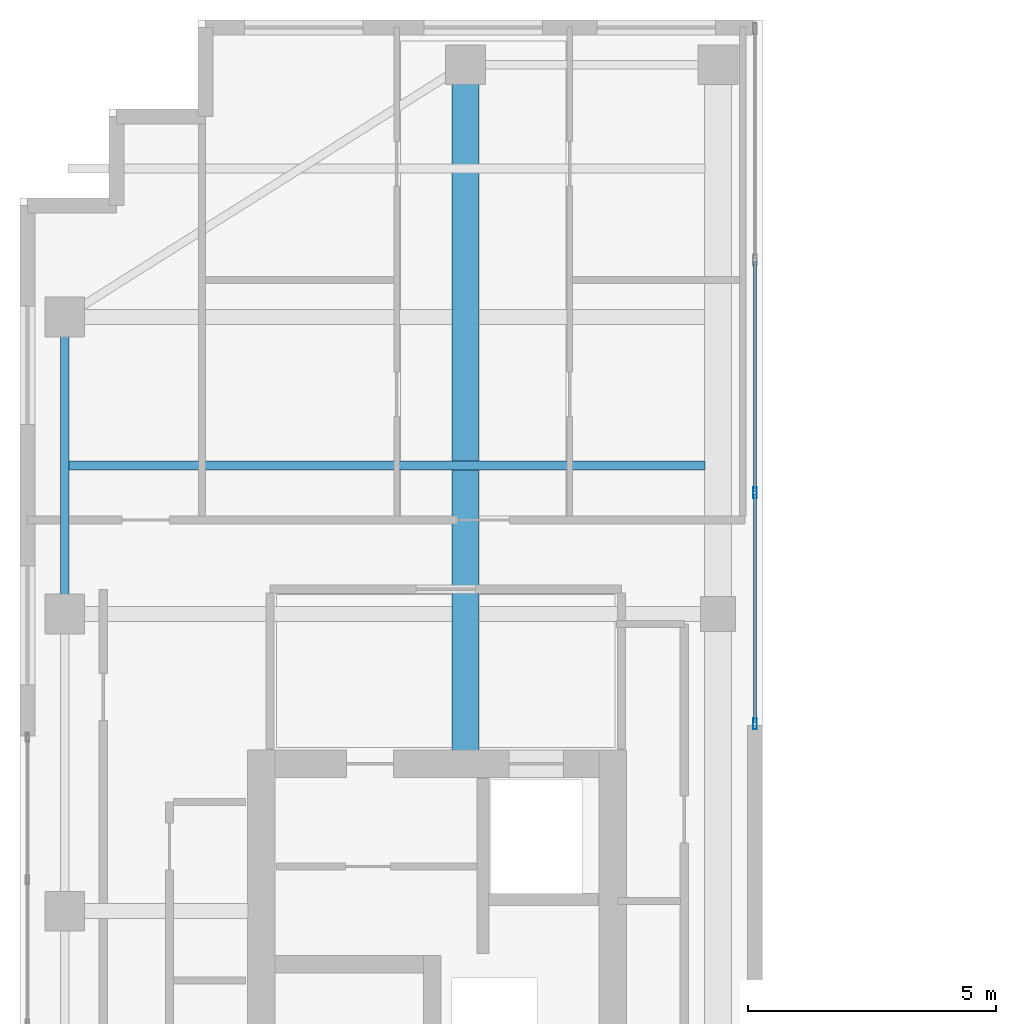
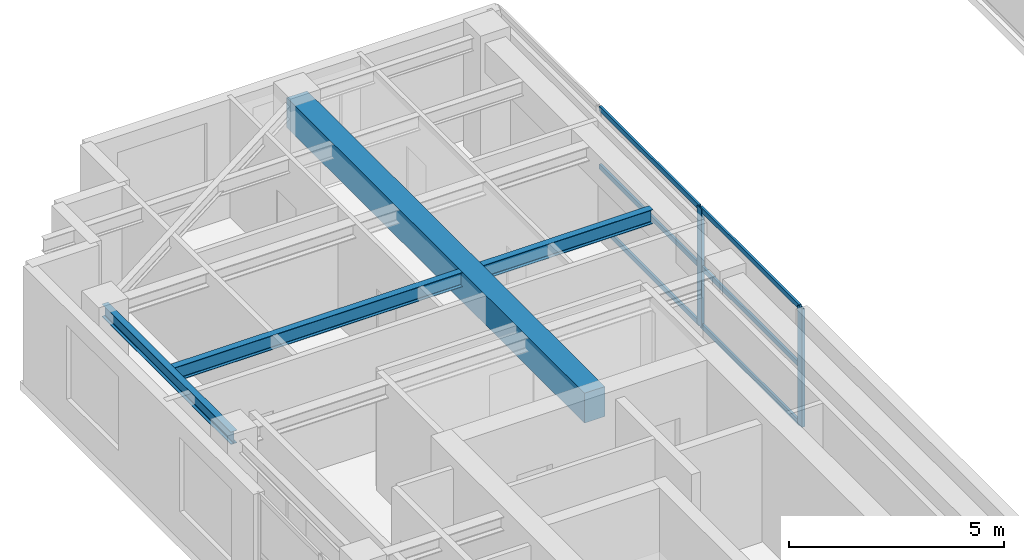
# One storey, part 9 of 23: 8 members, 3 beams, 1 element without a shape of its own.
"""IFC4 building model written with IfcOpenShell, lengths in metres."""

from ifc_helpers import new_model, si_unit, direction, frame, origin, origin_2d, place, context, subcontext, project, spatial, rectangle, hollow_rectangle, i_section, extrude, source, transform, mapped, material, layer, layer_set, material_profile, profile_set, type_object, element, aggregate, save


model = new_model("IFC4")

# Units and contexts
model_context = context("Model", 3, precision=1e-05, world=origin(), true_north=direction((0.0, 1.0)))
body_context = subcontext(model_context, "Body", "Model", "MODEL_VIEW")
ifc_project = project(units=[si_unit("LENGTHUNIT", "METRE"), si_unit("AREAUNIT", "SQUARE_METRE"), si_unit("VOLUMEUNIT", "CUBIC_METRE"), si_unit("PLANEANGLEUNIT", "RADIAN"), si_unit("MASSUNIT", "GRAM", prefix="KILO")], contexts=[model_context])

# Site, building, storey
site_placement = place(None, origin())
site = spatial("IfcSite", under=ifc_project, at=site_placement, CompositionType="ELEMENT")
building_placement = place(site_placement, origin())
building = spatial("IfcBuilding", under=site, at=building_placement, Name="Khoralis Quay Care Tower", CompositionType="ELEMENT")
storey_placement = place(building_placement, frame((0.0, 0.0, 252.89990234375)))
storey = spatial("IfcBuildingStorey", under=building, at=storey_placement, Name="L66", CompositionType="ELEMENT", Elevation=252.89990234375)

# Beams
ifc_material_1 = material(Name="Steel S355", Category="steel")
ifc_material_profile_1 = material_profile(ifc_material_1, i_section(OverallWidth=0.169921875, OverallDepth=0.360107421875, WebThickness=0.008056640625, FlangeThickness=0.0126953125, FilletRadius=0.01806640625, at=origin_2d()), Name="Steel S355")
ifc_profile_set_1 = profile_set([ifc_material_profile_1], Name="Steel S355")
beam_type_1 = type_object("IfcBeamType", Name="BM-IPE360", PredefinedType="SPANDREL", material=ifc_profile_set_1)
shared_shape_1 = source(origin(), body_context, "Body", "SweptSolid", [
    extrude(i_section(OverallWidth=0.169921875, OverallDepth=0.360107421875, WebThickness=0.008056640625, FlangeThickness=0.0126953125, FilletRadius=0.01806640625, at=origin_2d()), origin(), (0.0, 0.0, 1.0), 6.0),
])
beam_1_placement = place(storey_placement, frame((3.89990234375, 30.0, 3.18017578125), z_axis=(0.0, 1.0, 0.0), x_axis=(-1.0, 0.0, 0.0)))
element("IfcBeam", 1, at=beam_1_placement, inside=storey, type_object=beam_type_1, Name="BM-TSP-L66-08", PredefinedType="SPANDREL", context=body_context, shape_type="MappedRepresentation", body=[
    mapped(shared_shape_1, transform((0.0, 0.0, 0.0), scale=1.0)),
])
ifc_material_2 = material(Name="Concrete C50/60", Category="concrete")
ifc_material_profile_2 = material_profile(ifc_material_2, rectangle(XDim=0.550048828125, YDim=0.85009765625, at=origin_2d()), Name="Concrete C50/60")
ifc_profile_set_2 = profile_set([ifc_material_profile_2], Name="Concrete C50/60")
beam_type_2 = type_object("IfcBeamType", Name="BM-RC550X850", PredefinedType="BEAM", material=ifc_profile_set_2)
shared_shape_2 = source(origin(), body_context, "Body", "SweptSolid", [
    extrude(rectangle(XDim=0.550048828125, YDim=0.85009765625, at=origin_2d()), origin(), (0.0, 0.0, 1.0), 13.85205078125),
])
beam_2_placement = place(storey_placement, frame((12.0, 27.248046875, 2.93505859375), z_axis=(0.0, 1.0, 0.0), x_axis=(-1.0, 0.0, 0.0)))
element("IfcBeam", 2, at=beam_2_placement, inside=storey, type_object=beam_type_2, Name="BM-TGYN-L66-120", PredefinedType="BEAM", context=body_context, shape_type="MappedRepresentation", body=[
    mapped(shared_shape_2, transform((0.0, 0.0, 0.0), scale=1.0)),
])
ifc_material_profile_3 = material_profile(ifc_material_1, i_section(OverallWidth=0.177978515625, OverallDepth=0.406982421875, WebThickness=0.0078125, FlangeThickness=0.0126953125, FilletRadius=0.012939453125, at=origin_2d()), Name="Steel S355")
ifc_profile_set_3 = profile_set([ifc_material_profile_3], Name="Steel S355")
beam_type_3 = type_object("IfcBeamType", Name="BM-W410X60", PredefinedType="JOIST", material=ifc_profile_set_3)
shared_shape_3 = source(origin(), body_context, "Body", "SweptSolid", [
    extrude(i_section(OverallWidth=0.177978515625, OverallDepth=0.406982421875, WebThickness=0.0078125, FlangeThickness=0.0126953125, FilletRadius=0.012939453125, at=origin_2d()), origin(), (0.0, 0.0, 1.0), 12.865966796875),
])
beam_3_placement = place(storey_placement, frame((3.970947265625, 33.0, 3.156494140625), z_axis=(1.0, 0.0, 0.0), x_axis=(0.0, 1.0, 0.0)))
element("IfcBeam", 3, at=beam_3_placement, inside=storey, type_object=beam_type_3, Name="BM-TJS-L66-19", PredefinedType="JOIST", context=body_context, shape_type="MappedRepresentation", body=[
    mapped(shared_shape_3, transform((0.0, 0.0, 0.0), scale=1.0)),
])

# Curtain wall, members
ifc_material_3 = material(Name="Pale anodised aluminium", Category="aluminium")
ifc_layer = layer(ifc_material_3, 0.18994140625)
ifc_layer_set = layer_set([ifc_layer], Name="Pale anodised aluminium")
curtain_wall_type = type_object("IfcCurtainWallType", Name="CW-SYS-PORTAL", PredefinedType="NOTDEFINED", material=ifc_layer_set)
curtain_wall_placement = place(storey_placement, origin())
curtain_wall = element("IfcCurtainWall", 4, at=curtain_wall_placement, inside=storey, type_object=curtain_wall_type, Name="L66 Unitised Curtain Wall CW-VP-L66-P1-N", PredefinedType="NOTDEFINED")
ifc_material_profile_4 = material_profile(ifc_material_3, hollow_rectangle(XDim=0.06005859375, YDim=0.139892578125, WallThickness=0.00390625, at=origin_2d()), Name="Pale anodised aluminium")
ifc_profile_set_4 = profile_set([ifc_material_profile_4], Name="Pale anodised aluminium")
member_type_1 = type_object("IfcMemberType", Name="CW-TRN-140", PredefinedType="USERDEFINED", material=ifc_profile_set_4)
shared_shape_4 = source(origin(), body_context, "Body", "SweptSolid", [
    extrude(hollow_rectangle(XDim=0.06005859375, YDim=0.139892578125, WallThickness=0.00390625, at=origin_2d()), origin(), (0.0, 0.0, 1.0), 4.64013671875),
])
member_1_placement = place(storey_placement, frame((17.85009765625, 32.47998046875, 0.030029296875), z_axis=(0.0, 1.0, 0.0), x_axis=(-1.0, 0.0, 0.0)))
member_1 = element("IfcMember", 5, at=member_1_placement, type_object=member_type_1, Name="CW4 transom 2.1", ObjectType="TRANSOM", PredefinedType="USERDEFINED", context=body_context, shape_type="MappedRepresentation", body=[
    mapped(shared_shape_4, transform((0.0, 0.0, 0.0), scale=1.0)),
])
member_2_placement = place(storey_placement, frame((17.85009765625, 32.47998046875, 1.68017578125), z_axis=(0.0, 1.0, 0.0), x_axis=(-1.0, 0.0, 0.0)))
member_2 = element("IfcMember", 6, at=member_2_placement, type_object=member_type_1, Name="CW4 transom 2.2", ObjectType="TRANSOM", PredefinedType="USERDEFINED", context=body_context, shape_type="MappedRepresentation", body=[
    mapped(shared_shape_4, transform((0.0, 0.0, 0.0), scale=1.0)),
])
member_3_placement = place(storey_placement, frame((17.85009765625, 32.47998046875, 3.330078125), z_axis=(0.0, 1.0, 0.0), x_axis=(-1.0, 0.0, 0.0)))
member_3 = element("IfcMember", 7, at=member_3_placement, type_object=member_type_1, Name="CW4 transom 2.3", ObjectType="TRANSOM", PredefinedType="USERDEFINED", context=body_context, shape_type="MappedRepresentation", body=[
    mapped(shared_shape_4, transform((0.0, 0.0, 0.0), scale=1.0)),
])
shared_shape_5 = source(origin(), body_context, "Body", "SweptSolid", [
    extrude(hollow_rectangle(XDim=0.06005859375, YDim=0.139892578125, WallThickness=0.00390625, at=origin_2d()), origin(), (0.0, 0.0, 1.0), 4.60986328125),
])
member_4_placement = place(storey_placement, frame((17.85009765625, 27.81005859375, 0.030029296875), z_axis=(0.0, 1.0, 0.0), x_axis=(-1.0, 0.0, 0.0)))
member_4 = element("IfcMember", 8, at=member_4_placement, type_object=member_type_1, Name="CW4 transom 1.1", ObjectType="TRANSOM", PredefinedType="USERDEFINED", context=body_context, shape_type="MappedRepresentation", body=[
    mapped(shared_shape_5, transform((0.0, 0.0, 0.0), scale=1.0)),
])
member_5_placement = place(storey_placement, frame((17.85009765625, 27.81005859375, 1.68017578125), z_axis=(0.0, 1.0, 0.0), x_axis=(-1.0, 0.0, 0.0)))
member_5 = element("IfcMember", 9, at=member_5_placement, type_object=member_type_1, Name="CW4 transom 1.2", ObjectType="TRANSOM", PredefinedType="USERDEFINED", context=body_context, shape_type="MappedRepresentation", body=[
    mapped(shared_shape_5, transform((0.0, 0.0, 0.0), scale=1.0)),
])
member_6_placement = place(storey_placement, frame((17.85009765625, 27.81005859375, 3.330078125), z_axis=(0.0, 1.0, 0.0), x_axis=(-1.0, 0.0, 0.0)))
member_6 = element("IfcMember", 10, at=member_6_placement, type_object=member_type_1, Name="CW4 transom 1.3", ObjectType="TRANSOM", PredefinedType="USERDEFINED", context=body_context, shape_type="MappedRepresentation", body=[
    mapped(shared_shape_5, transform((0.0, 0.0, 0.0), scale=1.0)),
])
ifc_material_profile_5 = material_profile(ifc_material_3, hollow_rectangle(XDim=0.074951171875, YDim=0.219970703125, WallThickness=0.00390625, at=origin_2d()), Name="Pale anodised aluminium")
ifc_profile_set_5 = profile_set([ifc_material_profile_5], Name="Pale anodised aluminium")
member_type_2 = type_object("IfcMemberType", Name="CW-MUL-220", PredefinedType="MULLION", material=ifc_profile_set_5)
shared_shape_6 = source(origin(), body_context, "Body", "SweptSolid", [
    extrude(hollow_rectangle(XDim=0.074951171875, YDim=0.219970703125, WallThickness=0.00390625, at=origin_2d()), origin(), (0.0, 0.0, 1.0), 3.360107421875),
])
member_7_placement = place(storey_placement, frame((17.85009765625, 27.780029296875, 0.0), z_axis=(0.0, 0.0, 1.0), x_axis=(-1.0, 0.0, 0.0)))
member_7 = element("IfcMember", 11, at=member_7_placement, type_object=member_type_2, Name="CW4 mullion 1", PredefinedType="MULLION", context=body_context, shape_type="MappedRepresentation", body=[
    mapped(shared_shape_6, transform((0.0, 0.0, 0.0), scale=1.0)),
])
member_8_placement = place(storey_placement, frame((17.85009765625, 32.449951171875, 0.0), z_axis=(0.0, 0.0, 1.0), x_axis=(-1.0, 0.0, 0.0)))
member_8 = element("IfcMember", 12, at=member_8_placement, type_object=member_type_2, Name="CW4 mullion 2", PredefinedType="MULLION", context=body_context, shape_type="MappedRepresentation", body=[
    mapped(shared_shape_6, transform((0.0, 0.0, 0.0), scale=1.0)),
])
aggregate(curtain_wall, [member_7, member_8, member_4, member_5, member_6, member_1, member_2, member_3])

save(model, "model.ifc")
